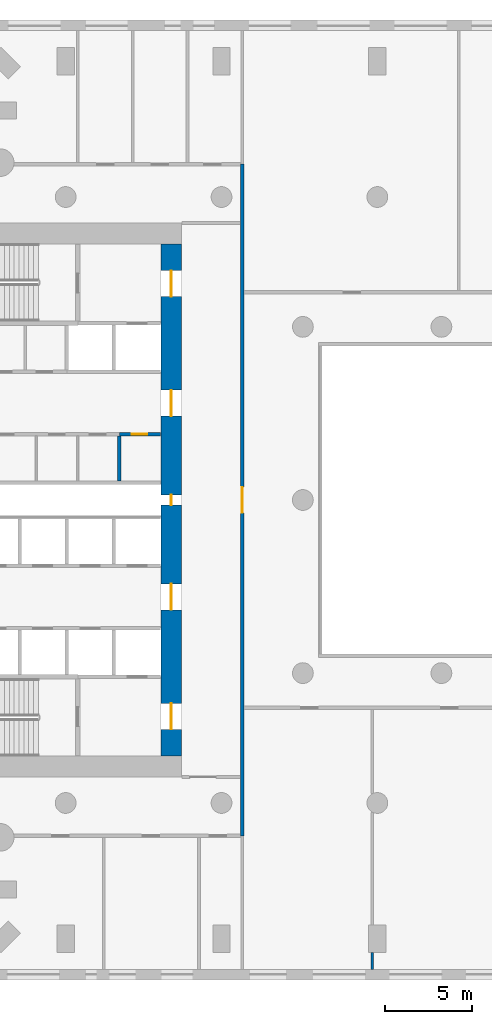
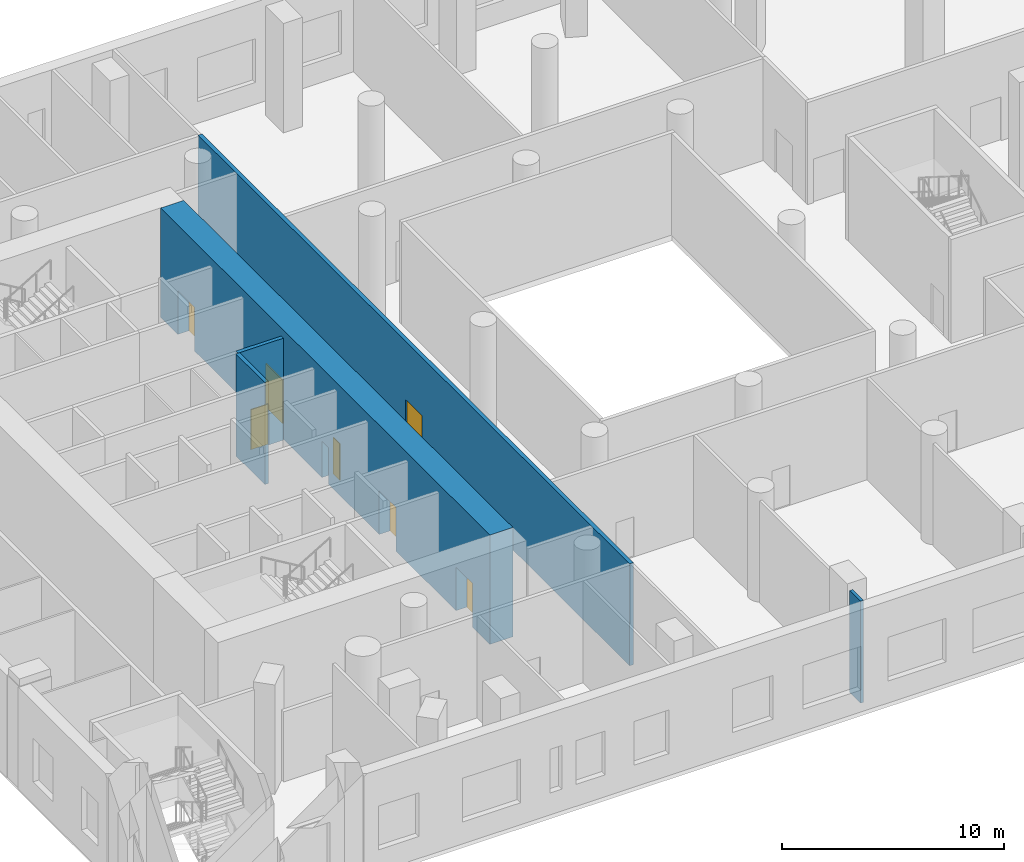
# One storey, part 4 of 19: 7 doors, 5 walls, 7 openings.
"""IFC4 building model written with IfcOpenShell, lengths in metres."""

from ifc_helpers import new_model, si_unit, direction, frame, frame_2d, origin, place, context, subcontext, project, spatial, rectangle, extrude, material, layer, layer_set, type_object, element, fill, save


model = new_model("IFC4")

# Units and contexts
model_context = context("Model", 3, precision=1e-05, world=origin(), true_north=direction((0.0, 1.0)))
body_context = subcontext(model_context, "Body", "Model", "MODEL_VIEW")
ifc_project = project(units=[si_unit("LENGTHUNIT", "METRE"), si_unit("AREAUNIT", "SQUARE_METRE"), si_unit("VOLUMEUNIT", "CUBIC_METRE"), si_unit("PLANEANGLEUNIT", "RADIAN"), si_unit("MASSUNIT", "GRAM", prefix="KILO")], contexts=[model_context])

# Site, building, storey
site_placement = place(None, origin())
site = spatial("IfcSite", under=ifc_project, at=site_placement, CompositionType="ELEMENT")
building_placement = place(site_placement, origin())
building = spatial("IfcBuilding", under=site, at=building_placement, Name="Cypress Arch Tower", CompositionType="ELEMENT")
storey_placement = place(building_placement, frame((0.0, 0.0, 44.0)))
storey = spatial("IfcBuildingStorey", under=building, at=storey_placement, Name="L05", CompositionType="ELEMENT", Elevation=44.0)

# Wall, openings, doors
ifc_material_1 = material(Name="Concrete C80/95", Category="concrete")
ifc_layer_1 = layer(ifc_material_1, 1.199951171875)
ifc_layer_set_1 = layer_set([ifc_layer_1], Name="Core wall CW1200 C80/95")
wall_type_1 = type_object("IfcWallType", Name="Core wall CW1200 C80/95", PredefinedType="SHEAR", material=ifc_layer_set_1)
wall_1_placement = place(storey_placement, frame((-14.60009765625, -14.800048828125, 0.0), z_axis=(0.0, 0.0, 1.0), x_axis=(0.0, 1.0, 0.0)))
wall_1 = element("IfcWall", 1, at=wall_1_placement, inside=storey, type_object=wall_type_1, Name="Core wall", PredefinedType="SHEAR", context=body_context, shape_type="SweptSolid", body=[
    extrude(rectangle(XDim=29.60009765625, YDim=1.199951171875, at=frame_2d((14.800048828125, 0.0))), origin(), (0.0, 0.0, 1.0), 6.0),
])
opening_1_placement = place(wall_1_placement, frame((1.550048828125, 0.0, 0.0)))
opening_1 = element("IfcOpeningElement", 2, at=opening_1_placement, cuts=wall_1, Name="Opening D07", PredefinedType="OPENING", context=body_context, shape_type="SweptSolid", body=[
    extrude(rectangle(XDim=1.5, YDim=2.39990234375, at=frame_2d((0.75, 1.199951171875))), frame((0.0, 0.60986328125, 0.0), z_axis=(0.0, -1.0, 0.0), x_axis=(1.0, 0.0, 0.0)), (0.0, 0.0, 1.0), 1.219970703125),
])
opening_2_placement = place(wall_1_placement, frame((26.550048828125, 0.0, 0.0)))
opening_2 = element("IfcOpeningElement", 3, at=opening_2_placement, cuts=wall_1, Name="Opening D07", PredefinedType="OPENING", context=body_context, shape_type="SweptSolid", body=[
    extrude(rectangle(XDim=1.5, YDim=2.39990234375, at=frame_2d((0.75, 1.199951171875))), frame((0.0, 0.60986328125, 0.0), z_axis=(0.0, -1.0, 0.0), x_axis=(1.0, 0.0, 0.0)), (0.0, 0.0, 1.0), 1.219970703125),
])
opening_3_placement = place(wall_1_placement, frame((8.449951171875, 0.0, 0.0)))
opening_3 = element("IfcOpeningElement", 4, at=opening_3_placement, cuts=wall_1, Name="Opening D07", PredefinedType="OPENING", context=body_context, shape_type="SweptSolid", body=[
    extrude(rectangle(XDim=1.5, YDim=2.39990234375, at=frame_2d((0.75, 1.199951171875))), frame((0.0, 0.60986328125, 0.0), z_axis=(0.0, -1.0, 0.0), x_axis=(1.0, 0.0, 0.0)), (0.0, 0.0, 1.0), 1.219970703125),
])
opening_4_placement = place(wall_1_placement, frame((19.64990234375, 0.0, 0.0)))
opening_4 = element("IfcOpeningElement", 5, at=opening_4_placement, cuts=wall_1, Name="Opening D07", PredefinedType="OPENING", context=body_context, shape_type="SweptSolid", body=[
    extrude(rectangle(XDim=1.5, YDim=2.39990234375, at=frame_2d((0.75, 1.199951171875))), frame((0.0, 0.60986328125, 0.0), z_axis=(0.0, -1.0, 0.0), x_axis=(1.0, 0.0, 0.0)), (0.0, 0.0, 1.0), 1.219970703125),
])
opening_5_placement = place(wall_1_placement, frame((14.5, 0.0, 0.0)))
opening_5 = element("IfcOpeningElement", 6, at=opening_5_placement, cuts=wall_1, Name="Opening D08", PredefinedType="OPENING", context=body_context, shape_type="SweptSolid", body=[
    extrude(rectangle(XDim=0.60009765625, YDim=2.0, at=frame_2d((0.300048828125, 1.0))), frame((0.0, 0.60986328125, 0.0), z_axis=(0.0, -1.0, 0.0), x_axis=(1.0, 0.0, 0.0)), (0.0, 0.0, 1.0), 1.219970703125),
])
ifc_material_2 = material(Name="Steel framed glazed door, fire resisting", Category="steel")
door_type_1 = type_object("IfcDoorType", Name="Lobby door D07 1500x2400", OperationType="DOUBLE_DOOR_SINGLE_SWING", PredefinedType="DOOR", material=ifc_material_2)
door_1_placement = place(opening_1_placement, origin())
door_1 = element("IfcDoor", 7, at=door_1_placement, inside=storey, type_object=door_type_1, Name="Lobby door", OperationType="DOUBLE_DOOR_SINGLE_SWING", OverallHeight=2.39990234375, OverallWidth=1.5, PredefinedType="DOOR", context=body_context, shape_type="SweptSolid", body=[
    extrude(rectangle(XDim=1.5, YDim=2.39990234375, at=frame_2d((0.75, 1.199951171875))), frame((0.0, 0.02490234375, 0.0), z_axis=(0.0, -1.0, 0.0), x_axis=(1.0, 0.0, 0.0)), (0.0, 0.0, 1.0), 0.050048828125),
])
fill(opening_1, door_1)
door_2_placement = place(opening_2_placement, origin())
door_2 = element("IfcDoor", 8, at=door_2_placement, inside=storey, type_object=door_type_1, Name="Lobby door", OperationType="DOUBLE_DOOR_SINGLE_SWING", OverallHeight=2.39990234375, OverallWidth=1.5, PredefinedType="DOOR", context=body_context, shape_type="SweptSolid", body=[
    extrude(rectangle(XDim=1.5, YDim=2.39990234375, at=frame_2d((0.75, 1.199951171875))), frame((0.0, 0.02490234375, 0.0), z_axis=(0.0, -1.0, 0.0), x_axis=(1.0, 0.0, 0.0)), (0.0, 0.0, 1.0), 0.050048828125),
])
fill(opening_2, door_2)
door_3_placement = place(opening_3_placement, origin())
door_3 = element("IfcDoor", 9, at=door_3_placement, inside=storey, type_object=door_type_1, Name="Lobby door", OperationType="DOUBLE_DOOR_SINGLE_SWING", OverallHeight=2.39990234375, OverallWidth=1.5, PredefinedType="DOOR", context=body_context, shape_type="SweptSolid", body=[
    extrude(rectangle(XDim=1.5, YDim=2.39990234375, at=frame_2d((0.75, 1.199951171875))), frame((0.0, 0.02490234375, 0.0), z_axis=(0.0, -1.0, 0.0), x_axis=(1.0, 0.0, 0.0)), (0.0, 0.0, 1.0), 0.050048828125),
])
fill(opening_3, door_3)
door_4_placement = place(opening_4_placement, origin())
door_4 = element("IfcDoor", 10, at=door_4_placement, inside=storey, type_object=door_type_1, Name="Lobby door", OperationType="DOUBLE_DOOR_SINGLE_SWING", OverallHeight=2.39990234375, OverallWidth=1.5, PredefinedType="DOOR", context=body_context, shape_type="SweptSolid", body=[
    extrude(rectangle(XDim=1.5, YDim=2.39990234375, at=frame_2d((0.75, 1.199951171875))), frame((0.0, 0.02490234375, 0.0), z_axis=(0.0, -1.0, 0.0), x_axis=(1.0, 0.0, 0.0)), (0.0, 0.0, 1.0), 0.050048828125),
])
fill(opening_4, door_4)
ifc_material_3 = material(Name="Steel access door, fire resisting", Category="steel")
door_type_2 = type_object("IfcDoorType", Name="Riser access door D08 600x2000", OperationType="SINGLE_SWING_LEFT", PredefinedType="DOOR", material=ifc_material_3)
door_5_placement = place(opening_5_placement, origin())
door_5 = element("IfcDoor", 11, at=door_5_placement, inside=storey, type_object=door_type_2, Name="Riser access door", OperationType="SINGLE_SWING_RIGHT", OverallHeight=2.0, OverallWidth=0.60009765625, PredefinedType="DOOR", context=body_context, shape_type="SweptSolid", body=[
    extrude(rectangle(XDim=0.60009765625, YDim=2.0, at=frame_2d((0.300048828125, 1.0))), frame((0.0, 0.02490234375, 0.0), z_axis=(0.0, -1.0, 0.0), x_axis=(1.0, 0.0, 0.0)), (0.0, 0.0, 1.0), 0.050048828125),
])
fill(opening_5, door_5)

# Wall, opening, door
ifc_material_4 = material(Name="Concrete blockwork, plastered, rated", Category="masonry")
ifc_layer_2 = layer(ifc_material_4, 0.199951171875)
ifc_layer_set_2 = layer_set([ifc_layer_2], Name="Corridor wall FW200")
wall_type_2 = type_object("IfcWallType", Name="Corridor wall FW200", PredefinedType="PARTITIONING", material=ifc_layer_set_2)
wall_2_placement = place(storey_placement, frame((-10.5, -19.39990234375, 0.0), z_axis=(0.0, 0.0, 1.0), x_axis=(0.0, 1.0, 0.0)))
wall_2 = element("IfcWall", 12, at=wall_2_placement, inside=storey, type_object=wall_type_2, Name="Corridor wall", PredefinedType="PARTITIONING", context=body_context, shape_type="SweptSolid", body=[
    extrude(rectangle(XDim=38.7998046875, YDim=0.199951171875, at=frame_2d((19.39990234375, 0.0))), origin(), (0.0, 0.0, 1.0), 5.595947265625),
])
opening_6_placement = place(wall_2_placement, frame((18.64990234375, 0.0, 0.0)))
opening_6 = element("IfcOpeningElement", 13, at=opening_6_placement, cuts=wall_2, Name="Opening D07", PredefinedType="OPENING", context=body_context, shape_type="SweptSolid", body=[
    extrude(rectangle(XDim=1.5, YDim=2.39990234375, at=frame_2d((0.75, 1.199951171875))), frame((0.0, 0.10986328125, 0.0), z_axis=(0.0, -1.0, 0.0), x_axis=(1.0, 0.0, 0.0)), (0.0, 0.0, 1.0), 0.219970703125),
])
door_6_placement = place(opening_6_placement, origin())
door_6 = element("IfcDoor", 14, at=door_6_placement, inside=storey, type_object=door_type_1, Name="Lobby door", OperationType="DOUBLE_DOOR_SINGLE_SWING", OverallHeight=2.39990234375, OverallWidth=1.5, PredefinedType="DOOR", context=body_context, shape_type="SweptSolid", body=[
    extrude(rectangle(XDim=1.5, YDim=2.39990234375, at=frame_2d((0.75, 1.199951171875))), frame((0.0, 0.02490234375, 0.0), z_axis=(0.0, -1.0, 0.0), x_axis=(1.0, 0.0, 0.0)), (0.0, 0.0, 1.0), 0.050048828125),
])
fill(opening_6, door_6)

# Wall
ifc_material_5 = material(Name="Blockwork, plastered both sides", Category="masonry")
ifc_layer_3 = layer(ifc_material_5, 0.14990234375)
ifc_layer_set_3 = layer_set([ifc_layer_3], Name="Partition PW150")
wall_type_3 = type_object("IfcWallType", Name="Partition PW150", PredefinedType="PARTITIONING", material=ifc_layer_set_3)
wall_3_placement = place(storey_placement, frame((-3.0, -27.125, 0.0), z_axis=(0.0, 0.0, 1.0), x_axis=(0.0, 1.0, 0.0)))
element("IfcWall", 15, at=wall_3_placement, inside=storey, type_object=wall_type_3, Name="Partition", PredefinedType="PARTITIONING", context=body_context, shape_type="SweptSolid", body=[
    extrude(rectangle(XDim=0.97509765625, YDim=0.14990234375, at=frame_2d((0.487548828125, 0.0))), origin(), (0.0, 0.0, 1.0), 5.595947265625),
])

# Wall, opening, door
ifc_material_6 = material(Name="Reinforced blockwork, plastered, rated", Category="masonry")
ifc_layer_4 = layer(ifc_material_6, 0.199951171875)
ifc_layer_set_4 = layer_set([ifc_layer_4], Name="Plant and riser wall PL200")
wall_type_4 = type_object("IfcWallType", Name="Plant and riser wall PL200", PredefinedType="PARTITIONING", material=ifc_layer_set_4)
wall_4_placement = place(storey_placement, frame((-17.580078125, 3.800048828125, 0.0), z_axis=(0.0, 0.0, 1.0), x_axis=(1.0, 0.0, 0.0)))
wall_4 = element("IfcWall", 16, at=wall_4_placement, inside=storey, type_object=wall_type_4, Name="Plant and riser wall", PredefinedType="PARTITIONING", context=body_context, shape_type="SweptSolid", body=[
    extrude(rectangle(XDim=2.35009765625, YDim=0.199951171875, at=frame_2d((1.175048828125, 0.0))), origin(), (0.0, 0.0, 1.0), 5.595947265625),
])
opening_7_placement = place(wall_4_placement, frame((0.699951171875, 0.0, 0.0)))
opening_7 = element("IfcOpeningElement", 17, at=opening_7_placement, cuts=wall_4, Name="Opening D05", PredefinedType="OPENING", context=body_context, shape_type="SweptSolid", body=[
    extrude(rectangle(XDim=0.89990234375, YDim=2.199951171875, at=frame_2d((0.449951171875, 1.10009765625))), frame((0.0, 0.10986328125, 0.0), z_axis=(0.0, -1.0, 0.0), x_axis=(1.0, 0.0, 0.0)), (0.0, 0.0, 1.0), 0.219970703125),
])
ifc_material_7 = material(Name="Timber flush door", Category="wood")
door_type_3 = type_object("IfcDoorType", Name="Service door D05 900x2200", OperationType="SINGLE_SWING_LEFT", PredefinedType="DOOR", material=ifc_material_7)
door_7_placement = place(opening_7_placement, origin())
door_7 = element("IfcDoor", 18, at=door_7_placement, inside=storey, type_object=door_type_3, Name="Service door", OperationType="SINGLE_SWING_RIGHT", OverallHeight=2.199951171875, OverallWidth=0.89990234375, PredefinedType="DOOR", context=body_context, shape_type="SweptSolid", body=[
    extrude(rectangle(XDim=0.89990234375, YDim=2.199951171875, at=frame_2d((0.449951171875, 1.10009765625))), frame((0.0, 0.02490234375, 0.0), z_axis=(0.0, -1.0, 0.0), x_axis=(1.0, 0.0, 0.0)), (0.0, 0.0, 1.0), 0.050048828125),
])
fill(opening_7, door_7)

# Wall
wall_5_placement = place(storey_placement, frame((-17.60009765625, 1.10009765625, 0.0), z_axis=(0.0, 0.0, 1.0), x_axis=(0.0, 1.0, 0.0)))
element("IfcWall", 19, at=wall_5_placement, inside=storey, type_object=wall_type_4, Name="Plant and riser wall", PredefinedType="PARTITIONING", context=body_context, shape_type="SweptSolid", body=[
    extrude(rectangle(XDim=2.599853515625, YDim=0.199951171875, at=frame_2d((1.2998046875, 0.0))), origin(), (0.0, 0.0, 1.0), 5.595947265625),
])

save(model, "model.ifc")
